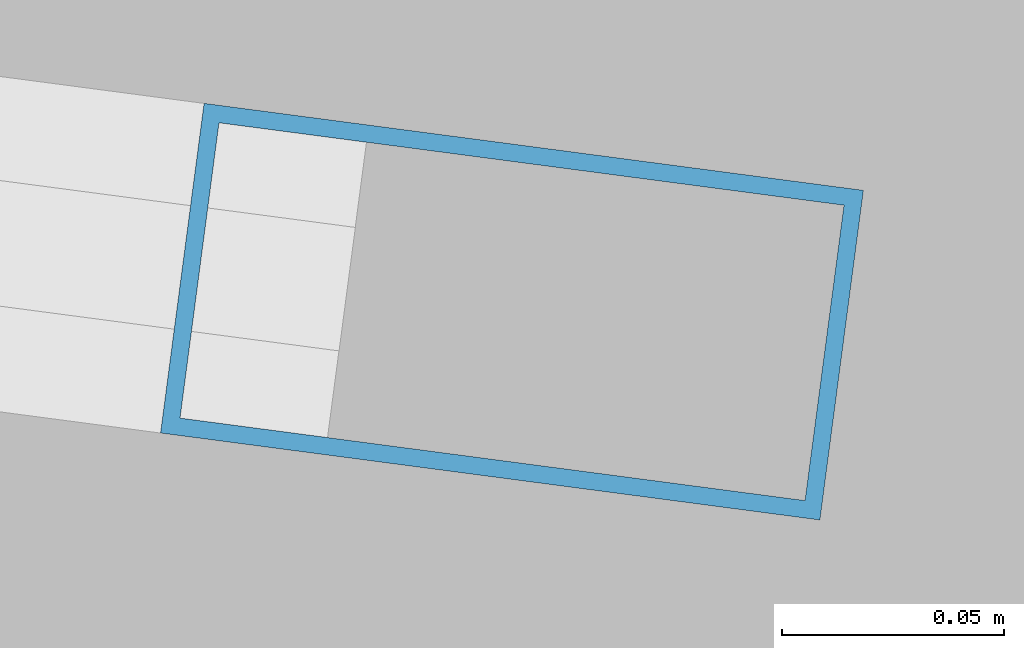
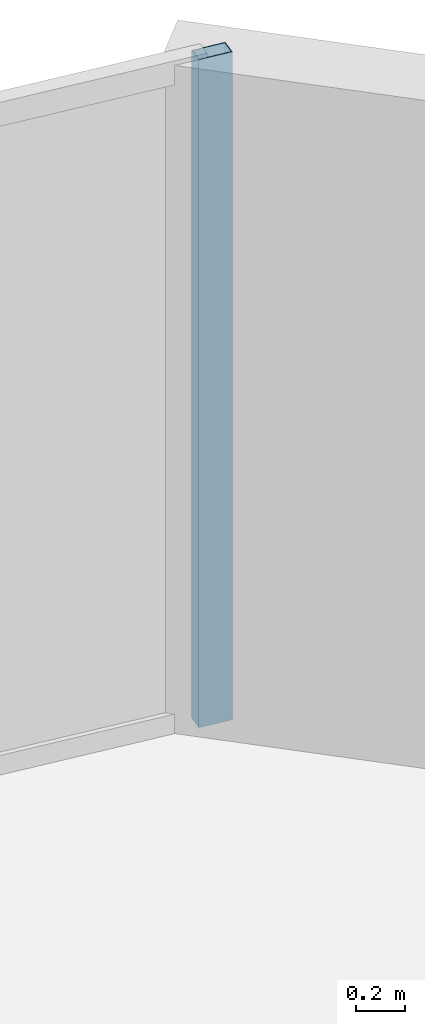
# One storey, part 22 of 30: 1 member, 1 element without a shape of its own.
"""IFC4 building model written with IfcOpenShell, lengths in metres."""

from ifc_helpers import new_model, si_unit, direction, frame, origin, origin_2d, place, context, subcontext, project, spatial, hollow_rectangle, extrude, material, layer, layer_set, material_profile, profile_set, type_object, element, aggregate, save


model = new_model("IFC4")

# Units and contexts
model_context = context("Model", 3, precision=1e-05, world=origin(), true_north=direction((0.0, 1.0)))
body_context = subcontext(model_context, "Body", "Model", "MODEL_VIEW")
ifc_project = project(units=[si_unit("LENGTHUNIT", "METRE"), si_unit("AREAUNIT", "SQUARE_METRE"), si_unit("VOLUMEUNIT", "CUBIC_METRE"), si_unit("PLANEANGLEUNIT", "RADIAN"), si_unit("MASSUNIT", "GRAM", prefix="KILO")], contexts=[model_context])

# Site, building, storey
site_placement = place(None, origin())
site = spatial("IfcSite", under=ifc_project, at=site_placement, CompositionType="ELEMENT")
building_placement = place(site_placement, origin())
building = spatial("IfcBuilding", under=site, at=building_placement, Name="Kazevale Care Tower and Concert Hall", CompositionType="ELEMENT")
storey_placement = place(building_placement, frame((0.0, 0.0, 113.39990234375)))
storey = spatial("IfcBuildingStorey", under=building, at=storey_placement, Name="L29", CompositionType="ELEMENT", Elevation=113.39990234375)

# Curtain wall, member
ifc_material_1 = material(Name="Aluminium 6063-T6 and Low-E Glass", Category="aluminium")
ifc_layer = layer(ifc_material_1, 0.179931640625)
ifc_layer_set = layer_set([ifc_layer], Name="Aluminium 6063-T6 and Low-E Glass")
curtain_wall_type = type_object("IfcCurtainWallType", Name="Convex Recessed Sunroom Curtain Wall CW-3", PredefinedType="NOTDEFINED", material=ifc_layer_set)
curtain_wall_placement = place(storey_placement, origin())
curtain_wall = element("IfcCurtainWall", 1, at=curtain_wall_placement, inside=storey, type_object=curtain_wall_type, Name="cw:L29:f16", PredefinedType="NOTDEFINED")
ifc_material_2 = material(Name="Aluminium 6063-T6", Category="aluminium")
ifc_material_profile = material_profile(ifc_material_2, hollow_rectangle(XDim=0.074951171875, YDim=0.14990234375, WallThickness=0.00390625, at=origin_2d()), Name="ALU75x150x4")
ifc_profile_set = profile_set([ifc_material_profile], Name="Aluminium 6063-T6")
member_type = type_object("IfcMemberType", Name="CW-3 Mullion ALU75x150x4", PredefinedType="MULLION", material=ifc_profile_set)
member_placement = place(storey_placement, frame((61.810791015625, 60.809814453125, 0.0), z_axis=(0.0, 0.0, 1.0), x_axis=(0.130822374277, 0.991405823257, 0.0)))
member = element("IfcMember", 2, at=member_placement, type_object=member_type, Name="CW-3 mullion 2", PredefinedType="MULLION", context=body_context, shape_type="SweptSolid", body=[
    extrude(hollow_rectangle(XDim=0.074951171875, YDim=0.14990234375, WallThickness=0.00390625, at=origin_2d()), origin(), (0.0, 0.0, 1.0), 3.360107421875),
])
aggregate(curtain_wall, [member])

save(model, "model.ifc")
